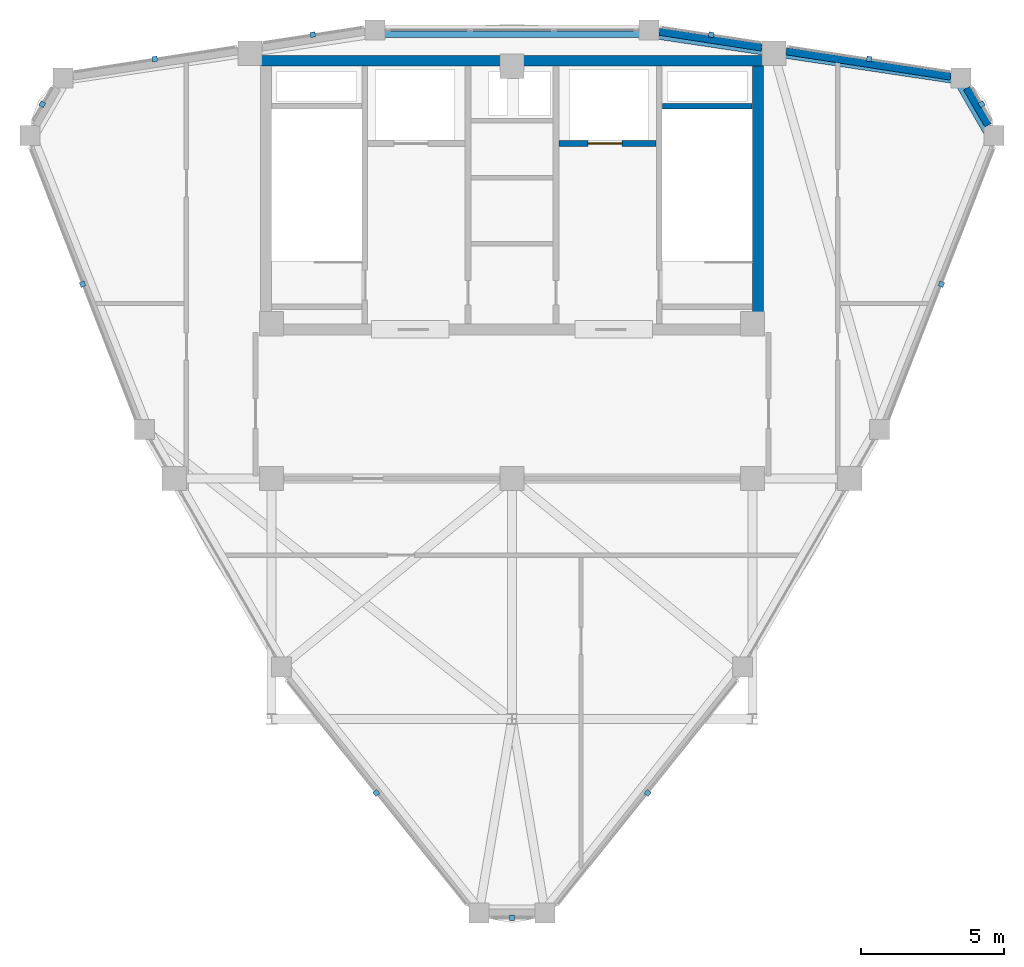
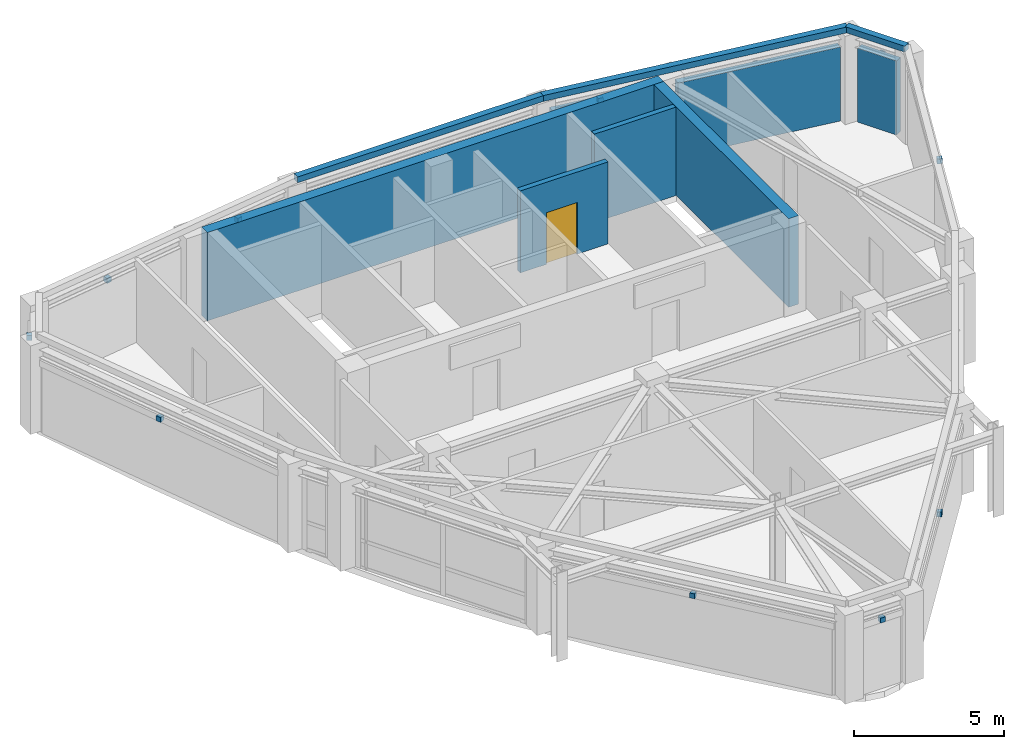
# One storey, part 12 of 13: 11 discrete accessories, 10 walls, 1 door, 1 opening.
"""IFC4 building model written with IfcOpenShell, lengths in metres."""

from ifc_helpers import new_model, si_unit, derived_unit, direction, frame, frame_2d, origin, origin_2d, place, context, subcontext, project, spatial, rectangle, extrude, source, transform, mapped, material, layer, layer_set, type_object, element, fill, save


model = new_model("IFC4")

# Units and contexts
model_context = context("Model", 3, precision=1e-05, world=origin(), true_north=direction((0.0, 1.0)))
body_context = subcontext(model_context, "Body", "Model", "MODEL_VIEW")
ifc_project = project(units=[si_unit("LENGTHUNIT", "METRE"), si_unit("AREAUNIT", "SQUARE_METRE"), si_unit("VOLUMEUNIT", "CUBIC_METRE"), si_unit("PLANEANGLEUNIT", "RADIAN"), si_unit("MASSUNIT", "GRAM", prefix="KILO"), derived_unit("THERMALTRANSMITTANCEUNIT", [(si_unit("POWERUNIT", "WATT"), 1), (si_unit("LENGTHUNIT", "METRE"), -2), (si_unit("THERMODYNAMICTEMPERATUREUNIT", "KELVIN"), -1)])], contexts=[model_context])

# Site, building, storey
site_placement = place(None, origin())
site = spatial("IfcSite", under=ifc_project, at=site_placement, CompositionType="ELEMENT")
building_placement = place(site_placement, origin())
building = spatial("IfcBuilding", under=site, at=building_placement, Name="Korsvarv Bourse and Concert Hall", CompositionType="ELEMENT")
storey_placement = place(building_placement, frame((0.0, 0.0, 296.10009765625)))
storey = spatial("IfcBuildingStorey", under=building, at=storey_placement, Name="L77", CompositionType="ELEMENT", Elevation=296.10009765625)

# Walls
ifc_material_1 = material(Name="Concrete C50/60", Category="concrete")
ifc_layer_1 = layer(ifc_material_1, 0.3798828125)
ifc_layer_set_1 = layer_set([ifc_layer_1], Name="Concrete C50/60")
wall_type_1 = type_object("IfcWallType", Name="WL-CORE-380", PredefinedType="SHEAR", material=ifc_layer_set_1)
wall_1_placement = place(storey_placement, frame((27.219970703125, 46.989990234375, 0.0), z_axis=(0.0, 0.0, 1.0), x_axis=(1.0, 0.0, 0.0)))
element("IfcWall", 1, at=wall_1_placement, inside=storey, type_object=wall_type_1, Name="L77 North Core Shear Wall", PredefinedType="SHEAR", context=body_context, shape_type="SweptSolid", body=[
    extrude(rectangle(XDim=17.56005859375, YDim=0.3798828125, at=frame_2d((8.780029296875, 0.0))), origin(), (0.0, 0.0, 1.0), 3.599853515625),
])
wall_2_placement = place(storey_placement, frame((44.590087890625, 37.800048828125, 0.0), z_axis=(0.0, 0.0, 1.0), x_axis=(0.0, 1.0, 0.0)))
element("IfcWall", 2, at=wall_2_placement, inside=storey, type_object=wall_type_1, Name="L77 East Core Shear Wall", PredefinedType="SHEAR", context=body_context, shape_type="SweptSolid", body=[
    extrude(rectangle(XDim=9.0, YDim=0.3798828125, at=frame_2d((4.5, 0.0))), origin(), (0.0, 0.0, 1.0), 3.599853515625),
])
wall_3_placement = place(storey_placement, frame((41.25, 45.39990234375, 0.0), z_axis=(0.0, 0.0, 1.0), x_axis=(1.0, 0.0, 0.0)))
element("IfcWall", 3, at=wall_3_placement, inside=storey, type_object=wall_type_1, Name="L77 stair shaft structural wall W-L77-ST2-N", PredefinedType="SHEAR", context=body_context, shape_type="SweptSolid", body=[
    extrude(rectangle(XDim=3.139892578125, YDim=0.199951171875, at=frame_2d((1.56982421875, 0.0))), origin(), (0.0, 0.0, 1.0), 3.599853515625),
])
ifc_material_2 = material(Name="Insulated aluminium and terracotta crown enclosure wall", Category="concrete")
ifc_layer_2 = layer(ifc_material_2, 0.260009765625)
ifc_layer_set_2 = layer_set([ifc_layer_2], Name="Insulated aluminium and terracotta crown enclosure wall")
wall_type_2 = type_object("IfcWallType", Name="WL-EXT-CRN", PredefinedType="SOLIDWALL", material=ifc_layer_set_2)
wall_4_placement = place(storey_placement, frame((52.630615234375, 44.7373046875, 0.0), z_axis=(0.0, 0.0, 1.0), x_axis=(-0.500033033937, 0.866006330792, 0.0)))
element("IfcWall", 4, at=wall_4_placement, inside=storey, type_object=wall_type_2, Name="L77 terracotta exterior wall EW-L77-CRN01", PredefinedType="SOLIDWALL", context=body_context, shape_type="SweptSolid", body=[
    extrude(rectangle(XDim=1.4970703125, YDim=0.260009765625, at=frame_2d((0.74853515625, 0.0))), origin(), (0.0, 0.0, 1.0), 3.010009765625),
])
wall_5_placement = place(storey_placement, frame((51.322021484375, 46.443603515625, 0.0), z_axis=(0.0, 0.0, 1.0), x_axis=(-0.98836100704, 0.152126656979, 0.0)))
element("IfcWall", 5, at=wall_5_placement, inside=storey, type_object=wall_type_2, Name="L77 terracotta exterior wall EW-L77-CRN02-1", PredefinedType="SOLIDWALL", context=body_context, shape_type="SweptSolid", body=[
    extrude(rectangle(XDim=5.8095703125, YDim=0.260009765625, at=frame_2d((2.90478515625, 0.0))), origin(), (0.0, 0.0, 1.0), 3.010009765625),
])
wall_6_placement = place(storey_placement, frame((44.719970703125, 47.4599609375, 0.0), z_axis=(0.0, 0.0, 1.0), x_axis=(-0.988360771452, 0.152128187575, 0.0)))
element("IfcWall", 6, at=wall_6_placement, inside=storey, type_object=wall_type_2, Name="L77 terracotta exterior wall EW-L77-CRN02-2", PredefinedType="SOLIDWALL", context=body_context, shape_type="SweptSolid", body=[
    extrude(rectangle(XDim=3.6171875, YDim=0.260009765625, at=frame_2d((1.80859375, 0.0))), origin(), (0.0, 0.0, 1.0), 3.010009765625),
])

# Wall, opening, door
ifc_material_3 = material(Name="Reinforced concrete blockwork C35/45 fire wall", Category="concrete")
ifc_layer_3 = layer(ifc_material_3, 0.199951171875)
ifc_layer_set_3 = layer_set([ifc_layer_3], Name="Reinforced concrete blockwork C35/45 fire wall")
wall_type_3 = type_object("IfcWallType", Name="WL-INT-EI120", PredefinedType="PARTITIONING", material=ifc_layer_set_3)
wall_7_placement = place(storey_placement, frame((37.64990234375, 44.10009765625, 0.0), z_axis=(0.0, 0.0, 1.0), x_axis=(1.0, 0.0, 0.0)))
wall_7 = element("IfcWall", 7, at=wall_7_placement, inside=storey, type_object=wall_type_3, Name="L77 interior partition wall W-L77-FF2-S", PredefinedType="PARTITIONING", context=body_context, shape_type="SweptSolid", body=[
    extrude(rectangle(XDim=3.380126953125, YDim=0.199951171875, at=frame_2d((1.68994140625, 0.0))), origin(), (0.0, 0.0, 1.0), 3.33984375),
])
opening_placement = place(wall_7_placement, frame((1.0, 0.0, 0.0)))
opening = element("IfcOpeningElement", 8, at=opening_placement, cuts=wall_7, Name="Opening LD-1", PredefinedType="OPENING", context=body_context, shape_type="SweptSolid", body=[
    extrude(rectangle(XDim=1.199951171875, YDim=2.10009765625, at=frame_2d((0.60009765625, 1.050048828125))), frame((0.0, 0.10986328125, 0.0), z_axis=(0.0, -1.0, 0.0), x_axis=(1.0, 0.0, 0.0)), (0.0, 0.0, 1.0), 0.219970703125),
])
ifc_material_4 = material(Name="Stainless Steel S355 firefighting lift landing door", Category="steel")
door_type = type_object("IfcDoorType", Name="DR-LIFT-FF", OperationType="DOUBLE_DOOR_SLIDING", PredefinedType="DOOR", material=ifc_material_4)
door_placement = place(opening_placement, origin())
door = element("IfcDoor", 9, at=door_placement, inside=storey, type_object=door_type, Name="L77 lift sliding landing door LD-L77-FF2", OperationType="DOUBLE_DOOR_SLIDING", OverallHeight=2.10009765625, OverallWidth=1.199951171875, PredefinedType="DOOR", context=body_context, shape_type="SweptSolid", body=[
    extrude(rectangle(XDim=1.199951171875, YDim=2.10009765625, at=frame_2d((0.60009765625, 1.050048828125))), frame((0.0, 0.02490234375, 0.0), z_axis=(0.0, -1.0, 0.0), x_axis=(1.0, 0.0, 0.0)), (0.0, 0.0, 1.0), 0.050048828125),
])
fill(opening, door)

# Walls
ifc_material_5 = material(Name="Precast concrete C45/55 roof parapet wall", Category="concrete")
ifc_layer_4 = layer(ifc_material_5, 0.239990234375)
ifc_layer_set_4 = layer_set([ifc_layer_4], Name="Precast concrete C45/55 roof parapet wall")
wall_type_4 = type_object("IfcWallType", Name="WL-PAR-240", PredefinedType="PARAPET", material=ifc_layer_set_4)
wall_8_placement = place(storey_placement, frame((52.6923828125, 44.31103515625, 3.599853515625), z_axis=(0.0, 0.0, 1.0), x_axis=(-0.500059783319, 0.865990885118, 0.0)))
element("IfcWall", 10, at=wall_8_placement, inside=storey, type_object=wall_type_4, Name="L77 Crown Roof Perimeter Parapet Upstand 1", PredefinedType="PARAPET", context=body_context, shape_type="SweptSolid", body=[
    extrude(rectangle(XDim=2.297119140625, YDim=0.239990234375, at=frame_2d((1.1484375, 0.0))), origin(), (0.0, 0.0, 1.0), 0.239990234375),
])
wall_9_placement = place(storey_placement, frame((51.543701171875, 46.30029296875, 3.599853515625), z_axis=(0.0, 0.0, 1.0), x_axis=(-0.989016466777, 0.147805373529, 0.0)))
element("IfcWall", 11, at=wall_9_placement, inside=storey, type_object=wall_type_4, Name="L77 Crown Roof Perimeter Parapet Upstand 2", PredefinedType="PARAPET", context=body_context, shape_type="SweptSolid", body=[
    extrude(rectangle(XDim=10.93310546875, YDim=0.239990234375, at=frame_2d((5.466552734375, 0.0))), origin(), (0.0, 0.0, 1.0), 0.239990234375),
])
wall_10_placement = place(storey_placement, frame((40.730712890625, 47.916259765625, 3.599853515625), z_axis=(0.0, 0.0, 1.0), x_axis=(-1.0, 0.0, 0.0)))
element("IfcWall", 12, at=wall_10_placement, inside=storey, type_object=wall_type_4, Name="L77 Crown Roof Perimeter Parapet Upstand 3", PredefinedType="PARAPET", context=body_context, shape_type="SweptSolid", body=[
    extrude(rectangle(XDim=9.46142578125, YDim=0.239990234375, at=frame_2d((4.730712890625, 0.0))), origin(), (0.0, 0.0, 1.0), 0.239990234375),
])

# Discrete accessories
ifc_material_6 = material(Name="Stainless Steel S355 facade outrigger bracket", Category="steel")
discrete_accessory_type = type_object("IfcDiscreteAccessoryType", Name="ACC-BRK-1", PredefinedType="BRACKET", material=ifc_material_6)
shared_shape = source(origin(), body_context, "Body", "SweptSolid", [
    extrude(rectangle(XDim=0.179931640625, YDim=0.179931640625, at=origin_2d()), origin(), (0.0, 0.0, 1.0), 0.199951171875),
])
for number, where, z_axis, x_axis, name in (
    (13, (52.403564453125, 45.470703125, 2.75), (0.0, 0.0, 1.0), (-0.5, 0.866025403784, 0.0), "L77 terracotta sunshade bracket EW-L77-CRN01"),
    (14, (48.476806640625, 47.053466796875, 2.75), (0.0, 0.0, 1.0), (-0.988361510468, 0.15212338619, 0.0), "L77 terracotta sunshade bracket EW-L77-CRN02-1"),
    (15, (42.958251953125, 47.903076171875, 2.75), (0.0, 0.0, 1.0), (-0.988361510468, 0.15212338619, 0.0), "L77 terracotta sunshade bracket EW-L77-CRN02-2"),
    (16, (29.041748046875, 47.903076171875, 2.75), (0.0, 0.0, 1.0), (-0.988361510468, -0.15212338619, 0.0), "L77 terracotta sunshade bracket EW-L77-CRN04-1"),
    (17, (23.523193359375, 47.053466796875, 2.75), (0.0, 0.0, 1.0), (-0.988361510468, -0.15212338619, 0.0), "L77 terracotta sunshade bracket EW-L77-CRN04-2"),
    (18, (19.596435546875, 45.470703125, 2.75), (0.0, 0.0, 1.0), (-0.5, -0.866025403784, 0.0), "L77 terracotta sunshade bracket EW-L77-CRN05"),
    (19, (21.002197265625, 39.1875, 2.75), (0.0, 0.0, 1.0), (0.362438038284, -0.932007869283, 0.0), "L77 terracotta sunshade bracket EW-L77-CRN06"),
    (20, (31.261474609375, 21.417724609375, 2.75), (0.0, 0.0, 1.0), (0.625923472184, -0.779884483093, 0.0), "L77 terracotta sunshade bracket EW-L77-CRN08"),
    (21, (36.0, 17.058837890625, 2.75), (0.0, 0.0, 1.0), (1.0, 0.0, 0.0), "L77 terracotta sunshade bracket EW-L77-CRN09"),
    (22, (40.738525390625, 21.417724609375, 2.75), (0.0, 0.0, 1.0), (0.625923472184, 0.779884483093, 0.0), "L77 terracotta sunshade bracket EW-L77-CRN10"),
    (23, (50.997802734375, 39.1875, 2.75), (0.0, 0.0, 1.0), (0.362438038284, 0.932007869283, 0.0), "L77 terracotta sunshade bracket EW-L77-CRN12"),
):
    element("IfcDiscreteAccessory", number, at=place(storey_placement, frame(where, z_axis=z_axis, x_axis=x_axis)), inside=storey, type_object=discrete_accessory_type, Name=name, PredefinedType="BRACKET", context=body_context, shape_type="MappedRepresentation", body=[
        mapped(shared_shape, transform((0.0, 0.0, 0.0), scale=1.0)),
    ])

save(model, "model.ifc")
